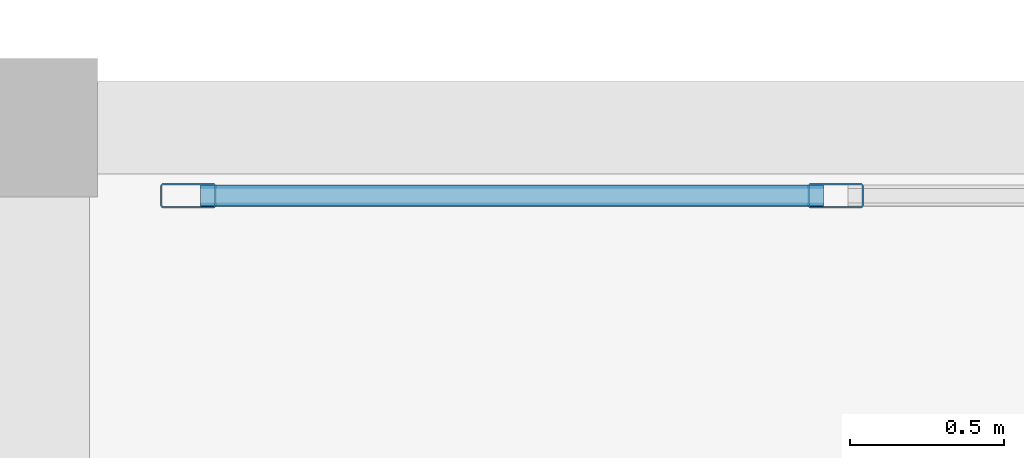
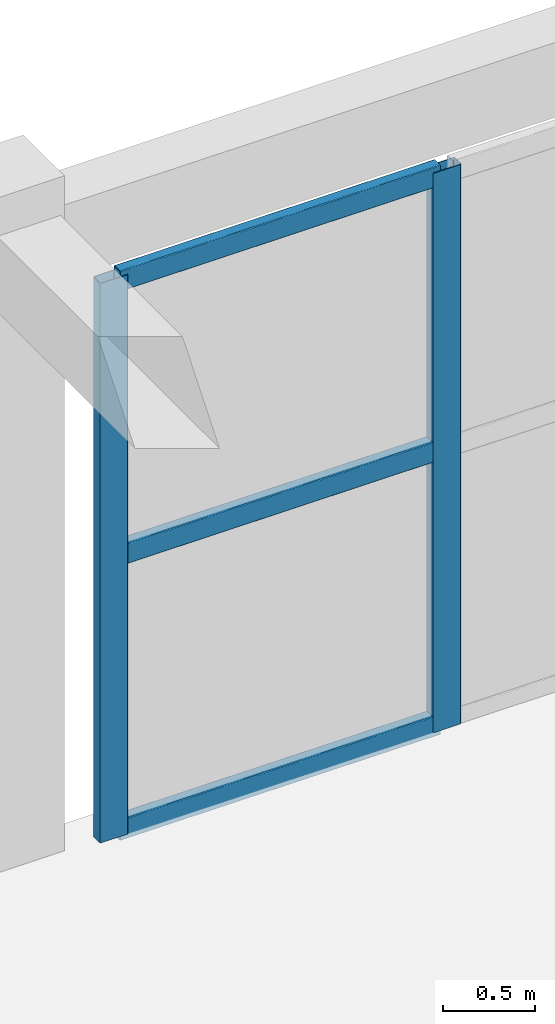
# One storey, part 49 of 91: 5 members, 1 element without a shape of its own.
"""IFC4 building model written with IfcOpenShell, lengths in metres."""

from ifc_helpers import new_model, si_unit, direction, frame, origin, origin_2d, place, context, subcontext, project, spatial, hollow_rectangle, extrude, material, layer, layer_set, material_profile, profile_set, type_object, element, aggregate, save


model = new_model("IFC4")

# Units and contexts
model_context = context("Model", 3, precision=1e-05, world=origin(), true_north=direction((0.0, 1.0)))
body_context = subcontext(model_context, "Body", "Model", "MODEL_VIEW")
ifc_project = project(units=[si_unit("LENGTHUNIT", "METRE"), si_unit("AREAUNIT", "SQUARE_METRE"), si_unit("VOLUMEUNIT", "CUBIC_METRE"), si_unit("PLANEANGLEUNIT", "RADIAN"), si_unit("MASSUNIT", "GRAM", prefix="KILO")], contexts=[model_context])

# Site, building, storey
site_placement = place(None, origin())
site = spatial("IfcSite", under=ifc_project, at=site_placement, CompositionType="ELEMENT")
building_placement = place(site_placement, origin())
building = spatial("IfcBuilding", under=site, at=building_placement, Name="Tarnavel Promenade Courthouse", CompositionType="ELEMENT")
storey_placement = place(building_placement, frame((0.0, 0.0, 9.89990234375)))
storey = spatial("IfcBuildingStorey", under=building, at=storey_placement, Name="L03", CompositionType="ELEMENT", Elevation=9.89990234375)

# Curtain wall, members
ifc_material_1 = material(Name="Thermally Broken Anodised Aluminium Curtain Wall System", Category="aluminium")
ifc_layer = layer(ifc_material_1, 0.199951171875)
ifc_layer_set = layer_set([ifc_layer], Name="Thermally Broken Anodised Aluminium Curtain Wall System")
curtain_wall_type = type_object("IfcCurtainWallType", Name="Thermally Broken Aluminium Triple-Glazed Curtain Wall CW-FOYER", PredefinedType="NOTDEFINED", material=ifc_layer_set)
curtain_wall_placement = place(storey_placement, origin())
curtain_wall = element("IfcCurtainWall", 1, at=curtain_wall_placement, inside=storey, type_object=curtain_wall_type, Name="L03 North Foyer Curtain Wall A 148", PredefinedType="NOTDEFINED")
ifc_material_2 = material(Name="Thermally Broken Anodised Aluminium Frame", Category="aluminium")
ifc_material_profile_1 = material_profile(ifc_material_2, hollow_rectangle(XDim=0.080078125, YDim=0.179931640625, WallThickness=0.0048828125, InnerFilletRadius=0.0048828125, OuterFilletRadius=0.010009765625, at=origin_2d()), Name="CWM 180x80x5")
ifc_profile_set_1 = profile_set([ifc_material_profile_1], Name="Thermally Broken Anodised Aluminium Frame")
member_type_1 = type_object("IfcMemberType", Name="Thermally Broken Anodised Aluminium CWM-155 (CWM 180x80x5)", PredefinedType="MULLION", material=ifc_profile_set_1)
member_1_placement = place(storey_placement, frame((92.919921875, 112.580078125, 0.0), z_axis=(0.0, 0.0, 1.0), x_axis=(0.0, 1.0, 0.0)))
member_1 = element("IfcMember", 2, at=member_1_placement, type_object=member_type_1, Name="CW-04 mullion 1", PredefinedType="MULLION", context=body_context, shape_type="SweptSolid", body=[
    extrude(hollow_rectangle(XDim=0.080078125, YDim=0.179931640625, WallThickness=0.0048828125, InnerFilletRadius=0.0048828125, OuterFilletRadius=0.010009765625, at=origin_2d()), origin(), (0.0, 0.0, 1.0), 3.72998046875),
])
member_2_placement = place(storey_placement, frame((95.02001953125, 112.580078125, 0.0), z_axis=(0.0, 0.0, 1.0), x_axis=(0.0, 1.0, 0.0)))
member_2 = element("IfcMember", 3, at=member_2_placement, type_object=member_type_1, Name="CW-04 mullion 2", PredefinedType="MULLION", context=body_context, shape_type="SweptSolid", body=[
    extrude(hollow_rectangle(XDim=0.080078125, YDim=0.179931640625, WallThickness=0.0048828125, InnerFilletRadius=0.0048828125, OuterFilletRadius=0.010009765625, at=origin_2d()), origin(), (0.0, 0.0, 1.0), 3.72998046875),
])
ifc_material_profile_2 = material_profile(ifc_material_2, hollow_rectangle(XDim=0.070068359375, YDim=0.139892578125, WallThickness=0.0048828125, InnerFilletRadius=0.0048828125, OuterFilletRadius=0.010009765625, at=origin_2d()), Name="CWT 140x70x5")
ifc_profile_set_2 = profile_set([ifc_material_profile_2], Name="Thermally Broken Anodised Aluminium Frame")
member_type_2 = type_object("IfcMemberType", Name="Thermally Broken Anodised Aluminium CWT-125 (CWT 140x70x5)", PredefinedType="USERDEFINED", material=ifc_profile_set_2)
member_3_placement = place(storey_placement, frame((92.9599609375, 112.580078125, 0.03515625), z_axis=(1.0, 0.0, 0.0), x_axis=(0.0, 1.0, 0.0)))
member_3 = element("IfcMember", 4, at=member_3_placement, type_object=member_type_2, Name="CW-04 transom 1.1", ObjectType="TRANSOM", PredefinedType="USERDEFINED", context=body_context, shape_type="SweptSolid", body=[
    extrude(hollow_rectangle(XDim=0.070068359375, YDim=0.139892578125, WallThickness=0.0048828125, InnerFilletRadius=0.0048828125, OuterFilletRadius=0.010009765625, at=origin_2d()), origin(), (0.0, 0.0, 1.0), 2.02001953125),
])
member_4_placement = place(storey_placement, frame((92.9599609375, 112.580078125, 1.864990234375), z_axis=(1.0, 0.0, 0.0), x_axis=(0.0, 1.0, 0.0)))
member_4 = element("IfcMember", 5, at=member_4_placement, type_object=member_type_2, Name="CW-04 transom 1.2", ObjectType="TRANSOM", PredefinedType="USERDEFINED", context=body_context, shape_type="SweptSolid", body=[
    extrude(hollow_rectangle(XDim=0.070068359375, YDim=0.139892578125, WallThickness=0.0048828125, InnerFilletRadius=0.0048828125, OuterFilletRadius=0.010009765625, at=origin_2d()), origin(), (0.0, 0.0, 1.0), 2.02001953125),
])
member_5_placement = place(storey_placement, frame((92.9599609375, 112.580078125, 3.695068359375), z_axis=(1.0, 0.0, 0.0), x_axis=(0.0, 1.0, 0.0)))
member_5 = element("IfcMember", 6, at=member_5_placement, type_object=member_type_2, Name="CW-04 transom 1.3", ObjectType="TRANSOM", PredefinedType="USERDEFINED", context=body_context, shape_type="SweptSolid", body=[
    extrude(hollow_rectangle(XDim=0.070068359375, YDim=0.139892578125, WallThickness=0.0048828125, InnerFilletRadius=0.0048828125, OuterFilletRadius=0.010009765625, at=origin_2d()), origin(), (0.0, 0.0, 1.0), 2.02001953125),
])
aggregate(curtain_wall, [member_1, member_2, member_3, member_4, member_5])

save(model, "model.ifc")
